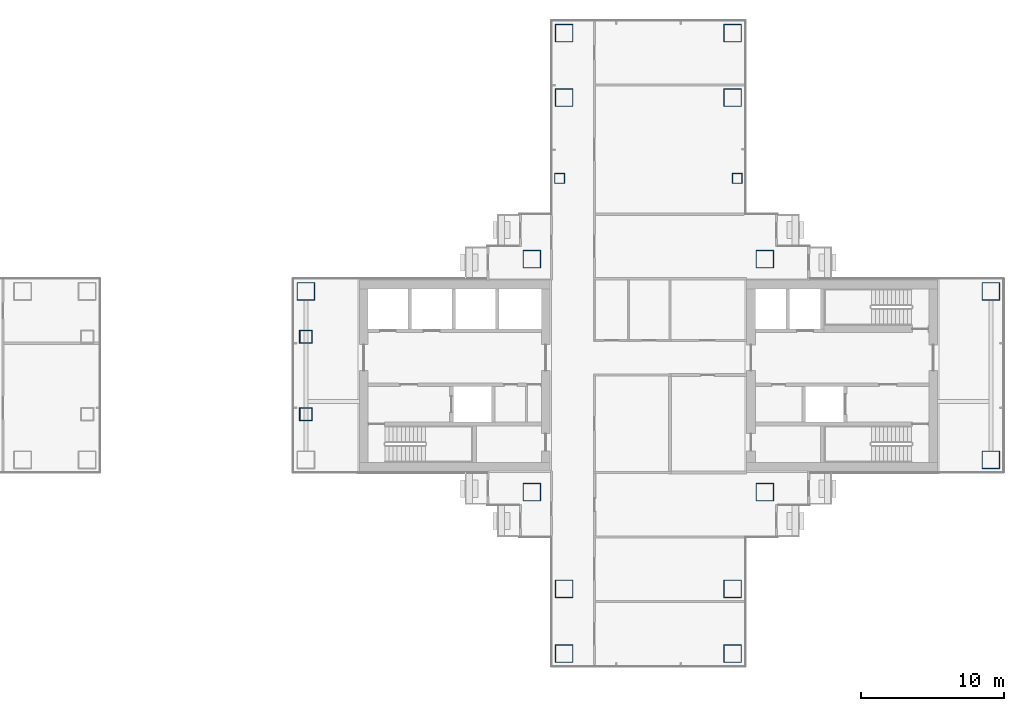
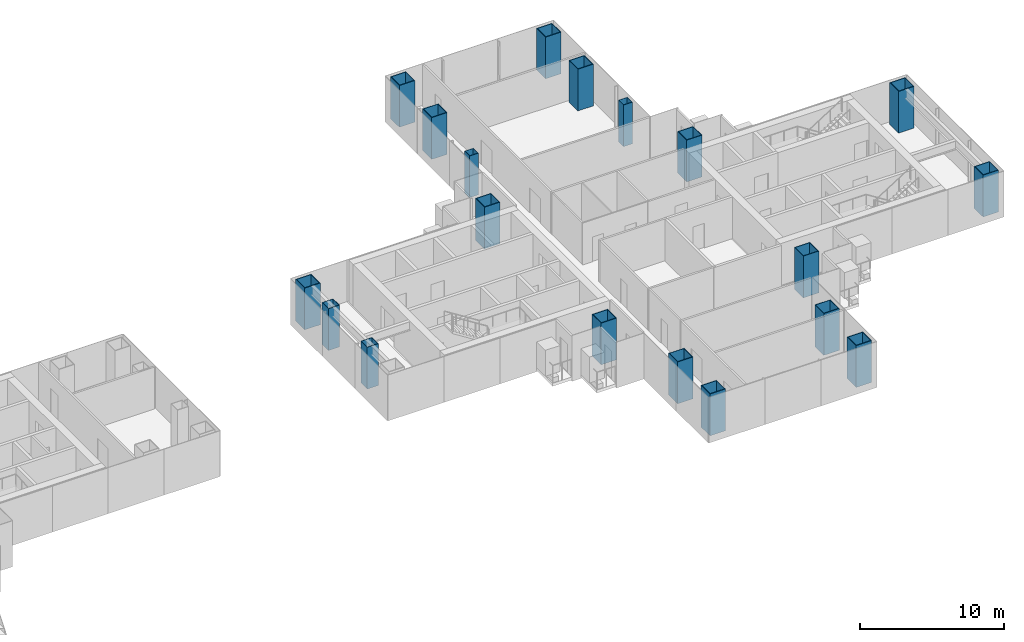
# One storey, part 2 of 20: 19 columns.
"""IFC4 building model written with IfcOpenShell, lengths in metres."""

from ifc_helpers import new_model, si_unit, direction, frame, origin, origin_2d, place, context, subcontext, project, spatial, hollow_rectangle, extrude, material, material_profile, profile_set, type_object, element, save


model = new_model("IFC4")

# Units and contexts
model_context = context("Model", 3, precision=1e-05, world=origin(), true_north=direction((0.0, 1.0)))
body_context = subcontext(model_context, "Body", "Model", "MODEL_VIEW")
ifc_project = project(units=[si_unit("LENGTHUNIT", "METRE"), si_unit("AREAUNIT", "SQUARE_METRE"), si_unit("VOLUMEUNIT", "CUBIC_METRE"), si_unit("PLANEANGLEUNIT", "RADIAN"), si_unit("MASSUNIT", "GRAM", prefix="KILO")], contexts=[model_context])

# Site, building, storey
site_placement = place(None, origin())
site = spatial("IfcSite", under=ifc_project, at=site_placement, CompositionType="ELEMENT")
building_placement = place(site_placement, origin())
building = spatial("IfcBuilding", under=site, at=building_placement, Name="Shamsa Quay Exchange Towers", CompositionType="ELEMENT")
storey_placement = place(building_placement, frame((0.0, 0.0, 109.199951171875)))
storey = spatial("IfcBuildingStorey", under=building, at=storey_placement, Name="L25", CompositionType="ELEMENT", Elevation=109.199951171875)

# Columns
ifc_material_1 = material(Name="Concrete-filled steel tube S355 / C80/95", Category="concrete")
ifc_material_profile_1 = material_profile(ifc_material_1, hollow_rectangle(XDim=1.25, YDim=1.25, WallThickness=0.050048828125, at=origin_2d()), Name="CFT 1250x1250x50")
ifc_profile_set_1 = profile_set([ifc_material_profile_1], Name="Concrete-filled steel tube S355 / C80/95")
column_type_1 = type_object("IfcColumnType", Name="Column CFT 1250x1250x50", PredefinedType="COLUMN", material=ifc_profile_set_1)
for number, where, name in (
    (1, (25.625, 8.125, 0.0), "Mega column T2-CM01"),
    (2, (41.875, 8.125, 0.0), "Mega column T2-CM02"),
    (3, (25.625, -8.125, 0.0), "Mega column T2-CM03"),
    (4, (41.875, -8.125, 0.0), "Mega column T2-CM04"),
    (5, (39.625, 19.375, 0.0), "Mega column T2-CM06"),
    (6, (39.625, 23.875, 0.0), "Mega column T2-CM07"),
    (7, (27.875, 19.375, 0.0), "Mega column T2-CM10"),
    (8, (27.875, 23.875, 0.0), "Mega column T2-CM11"),
    (9, (39.625, -14.875, 0.0), "Mega column T2-CM13"),
    (10, (39.625, -19.375, 0.0), "Mega column T2-CM14"),
    (11, (27.875, -14.875, 0.0), "Mega column T2-CM16"),
    (12, (27.875, -19.375, 0.0), "Mega column T2-CM17"),
    (13, (9.875, 5.875, 0.0), "Mega column T2-CM20"),
    (14, (57.625, -5.875, 0.0), "Mega column T2-CM21"),
    (15, (57.625, 5.875, 0.0), "Mega column T2-CM23"),
):
    element("IfcColumn", number, at=place(storey_placement, frame(where)), inside=storey, type_object=column_type_1, Name=name, PredefinedType="COLUMN", context=body_context, shape_type="SweptSolid", body=[
        extrude(hollow_rectangle(XDim=1.25, YDim=1.25, WallThickness=0.050048828125, at=origin_2d()), origin(), (0.0, 0.0, 1.0), 3.550048828125),
    ])
ifc_material_2 = material(Name="Concrete-filled steel tube S355 / C60/75", Category="concrete")
ifc_material_profile_2 = material_profile(ifc_material_2, hollow_rectangle(XDim=0.699951171875, YDim=0.699951171875, WallThickness=0.02490234375, at=origin_2d()), Name="CFT 700x700x25")
ifc_profile_set_2 = profile_set([ifc_material_profile_2], Name="Concrete-filled steel tube S355 / C60/75")
column_type_2 = type_object("IfcColumnType", Name="Column CFT 700x700x25", PredefinedType="COLUMN", material=ifc_profile_set_2)
for number, where, name in (
    (16, (39.9375, 13.75, 0.0), "Perimeter column T2-CP05"),
    (17, (27.5625, 13.75, 0.0), "Perimeter column T2-CP09"),
):
    element("IfcColumn", number, at=place(storey_placement, frame(where)), inside=storey, type_object=column_type_2, Name=name, PredefinedType="COLUMN", context=body_context, shape_type="SweptSolid", body=[
        extrude(hollow_rectangle(XDim=0.699951171875, YDim=0.699951171875, WallThickness=0.02490234375, at=origin_2d()), origin(), (0.0, 0.0, 1.0), 3.550048828125),
    ])
ifc_material_3 = material(Name="Concrete-filled steel tube S355 / C70/85", Category="concrete")
ifc_material_profile_3 = material_profile(ifc_material_3, hollow_rectangle(XDim=0.89990234375, YDim=0.89990234375, WallThickness=0.035888671875, at=origin_2d()), Name="CFT 900x900x36")
ifc_profile_set_3 = profile_set([ifc_material_profile_3], Name="Concrete-filled steel tube S355 / C70/85")
column_type_3 = type_object("IfcColumnType", Name="Landing column CFT 900x900x36", PredefinedType="COLUMN", material=ifc_profile_set_3)
for number, where, name in (
    (18, (9.875, -2.699951171875, 0.0), "Landing column T2 S"),
    (19, (9.875, 2.699951171875, 0.0), "Landing column T2 N"),
):
    element("IfcColumn", number, at=place(storey_placement, frame(where)), inside=storey, type_object=column_type_3, Name=name, PredefinedType="COLUMN", context=body_context, shape_type="SweptSolid", body=[
        extrude(hollow_rectangle(XDim=0.89990234375, YDim=0.89990234375, WallThickness=0.035888671875, at=origin_2d()), origin(), (0.0, 0.0, 1.0), 3.550048828125),
    ])

save(model, "model.ifc")
